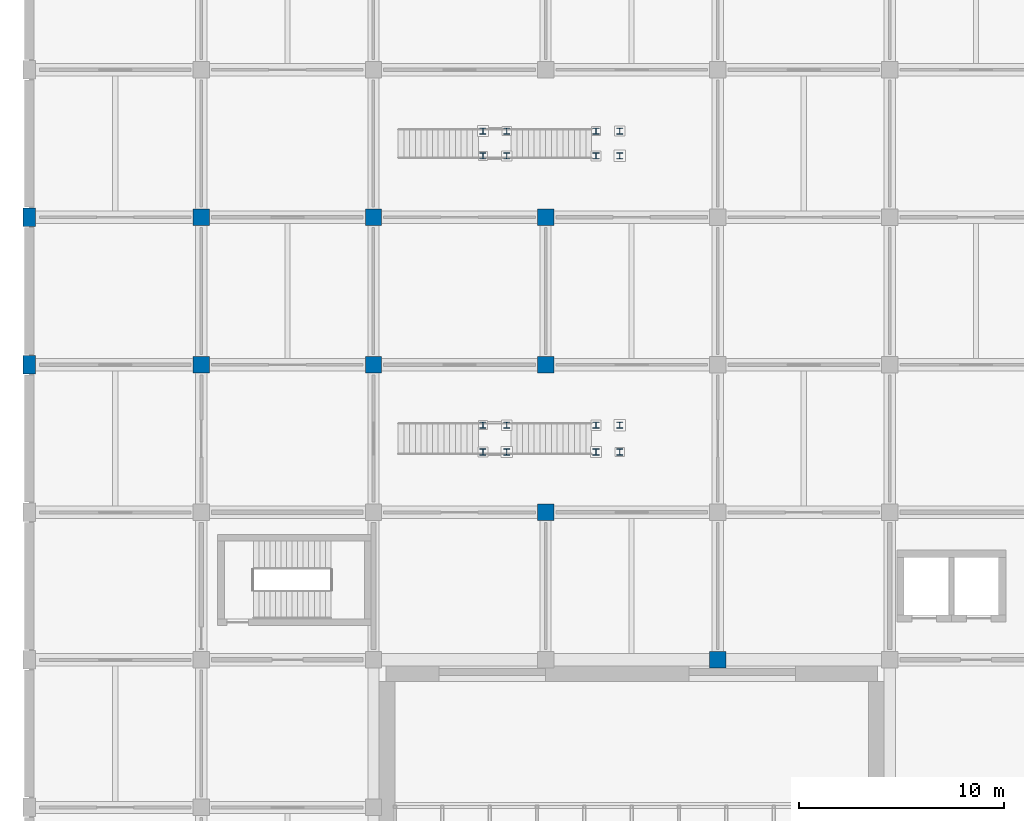
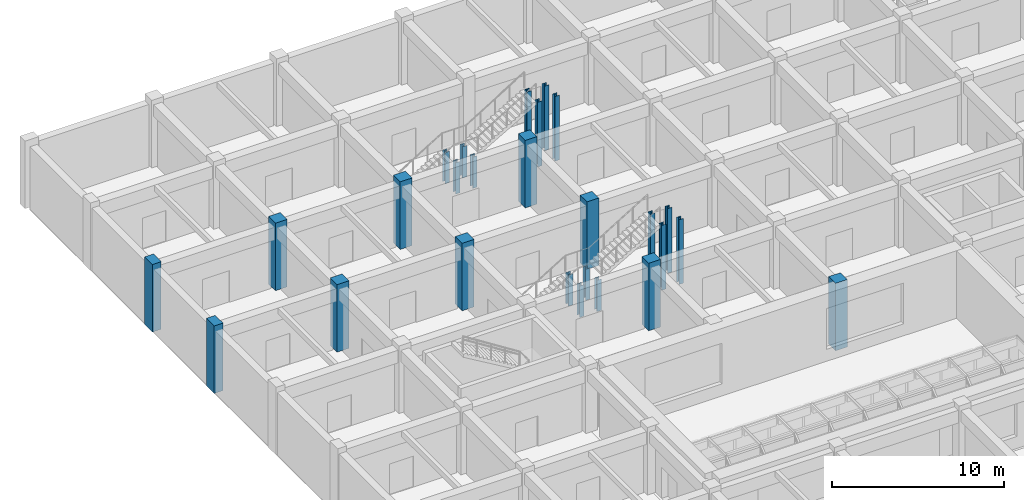
# One storey, part 2 of 32: 26 columns.
"""IFC4 building model written with IfcOpenShell, lengths in metres."""

from ifc_helpers import new_model, si_unit, derived_unit, direction, frame, origin, origin_2d, place, context, subcontext, project, spatial, rectangle, i_section, extrude, material, material_profile, profile_set, type_object, element, save


model = new_model("IFC4")

# Units and contexts
model_context = context("Model", 3, precision=1e-05, world=origin(), true_north=direction((0.0, 1.0)))
body_context = subcontext(model_context, "Body", "Model", "MODEL_VIEW")
ifc_project = project(units=[si_unit("LENGTHUNIT", "METRE"), si_unit("AREAUNIT", "SQUARE_METRE"), si_unit("VOLUMEUNIT", "CUBIC_METRE"), si_unit("PLANEANGLEUNIT", "RADIAN"), si_unit("MASSUNIT", "GRAM", prefix="KILO"), derived_unit("THERMALTRANSMITTANCEUNIT", [(si_unit("MASSUNIT", "GRAM", prefix="KILO"), 1), (si_unit("TIMEUNIT", "SECOND"), -3), (si_unit("THERMODYNAMICTEMPERATUREUNIT", "KELVIN"), -1)])], contexts=[model_context])

# Site, building, storey
site_placement = place(None, origin())
site = spatial("IfcSite", under=ifc_project, at=site_placement, CompositionType="ELEMENT")
building_placement = place(site_placement, origin())
building = spatial("IfcBuilding", under=site, at=building_placement, Name="Veldstrom Oceanarium and Marine Research Institute", CompositionType="ELEMENT")
storey_placement = place(building_placement, frame((0.0, 0.0, -4.800048828125)))
storey = spatial("IfcBuildingStorey", under=building, at=storey_placement, Name="B01", CompositionType="ELEMENT", Elevation=-4.800048828125)

# Columns
ifc_material_1 = material(Name="Concrete C50/60", Category="concrete")
ifc_material_profile_1 = material_profile(ifc_material_1, rectangle(XDim=0.800048828125, YDim=0.800048828125, at=origin_2d()), Name="RC-COL-800x800")
ifc_profile_set_1 = profile_set([ifc_material_profile_1], Name="Concrete C50/60")
column_type_1 = type_object("IfcColumnType", Name="STR-COL-C04", PredefinedType="COLUMN", material=ifc_profile_set_1)
for number, where, z_axis, x_axis, name in (
    (1, (8.39990234375, 50.39990234375, 0.0), (0.0, 0.0, 1.0), (1.0, 0.0, 0.0), "Column C04 2/H B01"),
    (2, (8.39990234375, 57.60009765625, 0.0), (0.0, 0.0, 1.0), (1.0, 0.0, 0.0), "Column C04 2/J B01"),
    (3, (16.800048828125, 50.39990234375, 0.0), (0.0, 0.0, 1.0), (1.0, 0.0, 0.0), "Column C04 3/H B01"),
    (4, (16.800048828125, 57.60009765625, 0.0), (0.0, 0.0, 1.0), (1.0, 0.0, 0.0), "Column C04 3/J B01"),
    (5, (25.199951171875, 43.199951171875, 0.0), (0.0, 0.0, 1.0), (1.0, 0.0, 0.0), "Column C04 4/G B01"),
    (6, (25.199951171875, 50.39990234375, 0.0), (0.0, 0.0, 1.0), (1.0, 0.0, 0.0), "Column C04 4/H B01"),
    (7, (25.199951171875, 57.60009765625, 0.0), (0.0, 0.0, 1.0), (1.0, 0.0, 0.0), "Column C04 4/J B01"),
    (8, (33.60009765625, 36.0, 0.0), (0.0, 0.0, 1.0), (1.0, 0.0, 0.0), "Column C04 5/F B01"),
):
    element("IfcColumn", number, at=place(storey_placement, frame(where, z_axis=z_axis, x_axis=x_axis)), inside=storey, type_object=column_type_1, Name=name, PredefinedType="COLUMN", context=body_context, shape_type="SweptSolid", body=[
        extrude(rectangle(XDim=0.800048828125, YDim=0.800048828125, at=origin_2d()), origin(), (0.0, 0.0, 1.0), 4.800048828125),
    ])
ifc_material_2 = material(Name="Concrete C50/60", Category="concrete")
ifc_material_profile_2 = material_profile(ifc_material_2, rectangle(XDim=0.60009765625, YDim=0.89990234375, at=origin_2d()), Name="RC-COL-900x600")
ifc_profile_set_2 = profile_set([ifc_material_profile_2], Name="Concrete C50/60")
column_type_2 = type_object("IfcColumnType", Name="STR-COL-C11", PredefinedType="COLUMN", material=ifc_profile_set_2)
for number, where, z_axis, x_axis, name in (
    (9, (0.0, 50.39990234375, 0.0), (0.0, 0.0, 1.0), (1.0, 0.0, 0.0), "Column C11 1/H B01"),
    (10, (0.0, 57.60009765625, 0.0), (0.0, 0.0, 1.0), (1.0, 0.0, 0.0), "Column C11 1/J B01"),
):
    element("IfcColumn", number, at=place(storey_placement, frame(where, z_axis=z_axis, x_axis=x_axis)), inside=storey, type_object=column_type_2, Name=name, PredefinedType="COLUMN", context=body_context, shape_type="SweptSolid", body=[
        extrude(rectangle(XDim=0.60009765625, YDim=0.89990234375, at=origin_2d()), origin(), (0.0, 0.0, 1.0), 4.800048828125),
    ])
ifc_material_3 = material(Name="Steel S355JR", Category="steel")
ifc_material_profile_3 = material_profile(ifc_material_3, i_section(OverallWidth=0.300048828125, OverallDepth=0.300048828125, WebThickness=0.010986328125, FlangeThickness=0.01904296875, FilletRadius=0.027099609375, at=origin_2d()), Name="HEB 300")
ifc_profile_set_3 = profile_set([ifc_material_profile_3], Name="Steel S355JR")
column_type_3 = type_object("IfcColumnType", Name="STR-COL-C16", PredefinedType="COLUMN", material=ifc_profile_set_3)
for number, where, z_axis, x_axis, name in (
    (11, (22.139892578125, 46.14501953125, 0.0), (0.0, 0.0, 1.0), (1.0, 0.0, 0.0), "Gallery Stair MID Column ST5-04-B01-1"),
    (12, (23.300048828125, 46.14501953125, 0.0), (0.0, 0.0, 1.0), (1.0, 0.0, 0.0), "Gallery Stair MID Column ST5-04-B01-2"),
    (13, (22.139892578125, 47.455078125, 0.0), (0.0, 0.0, 1.0), (1.0, 0.0, 0.0), "Gallery Stair MID Column ST5-04-B01-3"),
    (14, (23.300048828125, 47.455078125, 0.0), (0.0, 0.0, 1.0), (1.0, 0.0, 0.0), "Gallery Stair MID Column ST5-04-B01-4"),
):
    element("IfcColumn", number, at=place(storey_placement, frame(where, z_axis=z_axis, x_axis=x_axis)), inside=storey, type_object=column_type_3, Name=name, PredefinedType="COLUMN", context=body_context, shape_type="SweptSolid", body=[
        extrude(i_section(OverallWidth=0.300048828125, OverallDepth=0.300048828125, WebThickness=0.010986328125, FlangeThickness=0.01904296875, FilletRadius=0.027099609375, at=origin_2d()), origin(), (0.0, 0.0, 1.0), 2.219970703125),
    ])
for number, where, z_axis, x_axis, name in (
    (15, (27.659912109375, 46.14501953125, 0.0), (0.0, 0.0, 1.0), (1.0, 0.0, 0.0), "Gallery Stair TOP Column ST5-04-B01-1"),
    (16, (28.820068359375, 46.14501953125, 0.0), (0.0, 0.0, 1.0), (1.0, 0.0, 0.0), "Gallery Stair TOP Column ST5-04-B01-2"),
    (17, (27.659912109375, 47.455078125, 0.0), (0.0, 0.0, 1.0), (1.0, 0.0, 0.0), "Gallery Stair TOP Column ST5-04-B01-3"),
    (18, (28.820068359375, 47.455078125, 0.0), (0.0, 0.0, 1.0), (1.0, 0.0, 0.0), "Gallery Stair TOP Column ST5-04-B01-4"),
):
    element("IfcColumn", number, at=place(storey_placement, frame(where, z_axis=z_axis, x_axis=x_axis)), inside=storey, type_object=column_type_3, Name=name, PredefinedType="COLUMN", context=body_context, shape_type="SweptSolid", body=[
        extrude(i_section(OverallWidth=0.300048828125, OverallDepth=0.300048828125, WebThickness=0.010986328125, FlangeThickness=0.01904296875, FilletRadius=0.027099609375, at=origin_2d()), origin(), (0.0, 0.0, 1.0), 4.60009765625),
    ])
for number, where, z_axis, x_axis, name in (
    (19, (22.139892578125, 60.594970703125, 0.0), (0.0, 0.0, 1.0), (1.0, 0.0, 0.0), "Gallery Stair MID Column ST5-05-B01-1"),
    (20, (23.300048828125, 60.594970703125, 0.0), (0.0, 0.0, 1.0), (1.0, 0.0, 0.0), "Gallery Stair MID Column ST5-05-B01-2"),
    (21, (22.139892578125, 61.804931640625, 0.0), (0.0, 0.0, 1.0), (1.0, 0.0, 0.0), "Gallery Stair MID Column ST5-05-B01-3"),
    (22, (23.300048828125, 61.804931640625, 0.0), (0.0, 0.0, 1.0), (1.0, 0.0, 0.0), "Gallery Stair MID Column ST5-05-B01-4"),
):
    element("IfcColumn", number, at=place(storey_placement, frame(where, z_axis=z_axis, x_axis=x_axis)), inside=storey, type_object=column_type_3, Name=name, PredefinedType="COLUMN", context=body_context, shape_type="SweptSolid", body=[
        extrude(i_section(OverallWidth=0.300048828125, OverallDepth=0.300048828125, WebThickness=0.010986328125, FlangeThickness=0.01904296875, FilletRadius=0.027099609375, at=origin_2d()), origin(), (0.0, 0.0, 1.0), 2.219970703125),
    ])
for number, where, z_axis, x_axis, name in (
    (23, (27.659912109375, 60.594970703125, 0.0), (0.0, 0.0, 1.0), (1.0, 0.0, 0.0), "Gallery Stair TOP Column ST5-05-B01-1"),
    (24, (28.820068359375, 60.594970703125, 0.0), (0.0, 0.0, 1.0), (1.0, 0.0, 0.0), "Gallery Stair TOP Column ST5-05-B01-2"),
    (25, (27.659912109375, 61.804931640625, 0.0), (0.0, 0.0, 1.0), (1.0, 0.0, 0.0), "Gallery Stair TOP Column ST5-05-B01-3"),
    (26, (28.820068359375, 61.804931640625, 0.0), (0.0, 0.0, 1.0), (1.0, 0.0, 0.0), "Gallery Stair TOP Column ST5-05-B01-4"),
):
    element("IfcColumn", number, at=place(storey_placement, frame(where, z_axis=z_axis, x_axis=x_axis)), inside=storey, type_object=column_type_3, Name=name, PredefinedType="COLUMN", context=body_context, shape_type="SweptSolid", body=[
        extrude(i_section(OverallWidth=0.300048828125, OverallDepth=0.300048828125, WebThickness=0.010986328125, FlangeThickness=0.01904296875, FilletRadius=0.027099609375, at=origin_2d()), origin(), (0.0, 0.0, 1.0), 4.60009765625),
    ])

save(model, "model.ifc")
